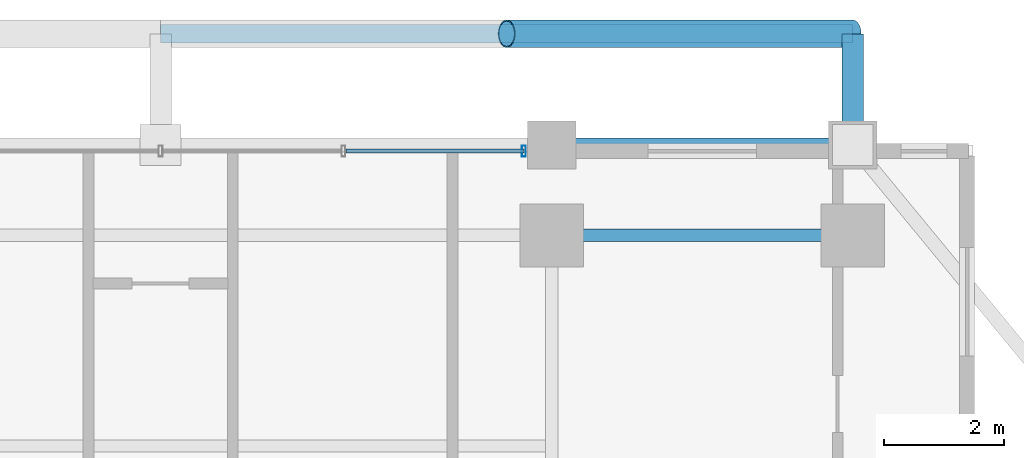
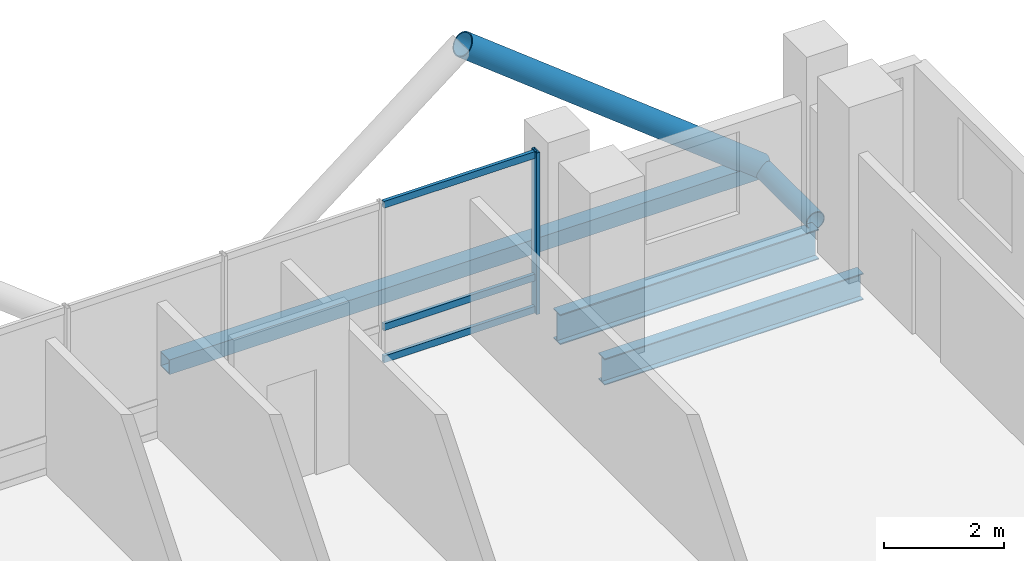
# One storey, part 18 of 25: 7 members, 2 beams, 1 element without a shape of its own.
"""IFC4 building model written with IfcOpenShell, lengths in metres."""

from ifc_helpers import new_model, si_unit, direction, frame, origin, origin_2d, place, context, subcontext, project, spatial, hollow_rectangle, hollow_circle, i_section, extrude, material, layer, layer_set, material_profile, profile_set, type_object, element, aggregate, save


model = new_model("IFC4")

# Units and contexts
model_context = context("Model", 3, precision=1e-05, world=origin(), true_north=direction((0.0, 1.0)))
body_context = subcontext(model_context, "Body", "Model", "MODEL_VIEW")
ifc_project = project(units=[si_unit("LENGTHUNIT", "METRE"), si_unit("AREAUNIT", "SQUARE_METRE"), si_unit("VOLUMEUNIT", "CUBIC_METRE"), si_unit("PLANEANGLEUNIT", "RADIAN"), si_unit("MASSUNIT", "GRAM", prefix="KILO")], contexts=[model_context])

# Site, building, storey
site_placement = place(None, origin())
site = spatial("IfcSite", under=ifc_project, at=site_placement, CompositionType="ELEMENT")
building_placement = place(site_placement, origin())
building = spatial("IfcBuilding", under=site, at=building_placement, Name="Barlavira Tower and Art Museum", CompositionType="ELEMENT")
storey_placement = place(building_placement, frame((0.0, 0.0, 208.800048828125)))
storey = spatial("IfcBuildingStorey", under=building, at=storey_placement, Name="L54", CompositionType="ELEMENT", Elevation=208.800048828125)

# Curtain wall, members
ifc_material_1 = material(Name="Low-iron coastal laminated glass", Category="glass")
ifc_layer = layer(ifc_material_1, 0.199951171875, Name="Low-iron coastal laminated glass")
ifc_layer_set = layer_set([ifc_layer], Name="Low-iron coastal laminated glass")
curtain_wall_type = type_object("IfcCurtainWallType", Name="Pale-Metal Unitised Curtain Wall Zone 3", PredefinedType="NOTDEFINED", material=ifc_layer_set)
curtain_wall_placement = place(storey_placement, origin())
curtain_wall = element("IfcCurtainWall", 1, at=curtain_wall_placement, inside=storey, type_object=curtain_wall_type, Name="L54 Curtain Wall CW3-L54-N-B3", PredefinedType="NOTDEFINED")
ifc_material_2 = material(Name="Pale anodised aluminium", Category="aluminium")
ifc_material_profile_1 = material_profile(ifc_material_2, hollow_rectangle(XDim=0.06494140625, YDim=0.179931640625, WallThickness=0.00390625, at=origin_2d()), Name="ALU-MULL 65x180x4")
ifc_profile_set_1 = profile_set([ifc_material_profile_1], Name="Pale anodised aluminium")
member_type_1 = type_object("IfcMemberType", Name="Curtain Wall Pale-Metal Mullion 65x180", PredefinedType="MULLION", material=ifc_profile_set_1)
member_1_placement = place(storey_placement, frame((6.034912109375, 21.39990234375, 0.0), z_axis=(0.0, 0.0, 1.0), x_axis=(-1.0, 0.0, 0.0)))
member_1 = element("IfcMember", 2, at=member_1_placement, type_object=member_type_1, Name="CW3-L54-N-B3 Mullion 0", PredefinedType="MULLION", context=body_context, shape_type="SweptSolid", body=[
    extrude(hollow_rectangle(XDim=0.06494140625, YDim=0.179931640625, WallThickness=0.00390625, at=origin_2d()), origin(), (0.0, 0.0, 1.0), 3.300048828125),
])
ifc_material_profile_2 = material_profile(ifc_material_2, hollow_rectangle(XDim=0.06494140625, YDim=0.139892578125, WallThickness=0.00390625, at=origin_2d()), Name="ALU-TRAN 65x140x4")
ifc_profile_set_2 = profile_set([ifc_material_profile_2], Name="Pale anodised aluminium")
member_type_2 = type_object("IfcMemberType", Name="Curtain Wall Pale-Metal Transom 65x140", PredefinedType="USERDEFINED", material=ifc_profile_set_2)
member_2_placement = place(storey_placement, frame((6.034912109375, 21.39990234375, 0.070068359375), z_axis=(-1.0, 0.0, 0.0), x_axis=(0.0, -1.0, 0.0)))
member_2 = element("IfcMember", 3, at=member_2_placement, type_object=member_type_2, Name="CW3-L54-N-B3 Transom 0.1", ObjectType="TRANSOM", PredefinedType="USERDEFINED", context=body_context, shape_type="SweptSolid", body=[
    extrude(hollow_rectangle(XDim=0.06494140625, YDim=0.139892578125, WallThickness=0.00390625, at=origin_2d()), origin(), (0.0, 0.0, 1.0), 2.949951171875),
])
member_3_placement = place(storey_placement, frame((6.034912109375, 21.39990234375, 0.725830078125), z_axis=(-1.0, 0.0, 0.0), x_axis=(0.0, -1.0, 0.0)))
member_3 = element("IfcMember", 4, at=member_3_placement, type_object=member_type_2, Name="CW3-L54-N-B3 Transom 0.2", ObjectType="TRANSOM", PredefinedType="USERDEFINED", context=body_context, shape_type="SweptSolid", body=[
    extrude(hollow_rectangle(XDim=0.06494140625, YDim=0.139892578125, WallThickness=0.00390625, at=origin_2d()), origin(), (0.0, 0.0, 1.0), 2.949951171875),
])
member_4_placement = place(storey_placement, frame((6.034912109375, 21.39990234375, 3.22998046875), z_axis=(-1.0, 0.0, 0.0), x_axis=(0.0, -1.0, 0.0)))
member_4 = element("IfcMember", 5, at=member_4_placement, type_object=member_type_2, Name="CW3-L54-N-B3 Transom 0.3", ObjectType="TRANSOM", PredefinedType="USERDEFINED", context=body_context, shape_type="SweptSolid", body=[
    extrude(hollow_rectangle(XDim=0.06494140625, YDim=0.139892578125, WallThickness=0.00390625, at=origin_2d()), origin(), (0.0, 0.0, 1.0), 2.949951171875),
])
aggregate(curtain_wall, [member_1, member_2, member_3, member_4])

# Members
ifc_material_3 = material(Name="Steel S355", Category="steel")
ifc_material_profile_3 = material_profile(ifc_material_3, hollow_circle(Radius=0.228515625, WallThickness=0.02001953125, at=origin_2d()), Name="CHS 457.0x20.0")
ifc_profile_set_3 = profile_set([ifc_material_profile_3], Name="Steel S355")
member_type_3 = type_object("IfcMemberType", Name="Pale-Metal Exoskeleton Diagrid Tube CHS 457x20 Steel S355", PredefinedType="BRACE", material=ifc_profile_set_3)
member_5_placement = place(storey_placement, frame((11.5, 23.35009765625, -0.1201171875), z_axis=(-0.787505001008, 0.0, 0.616308261658), x_axis=(0.0, -1.0, 0.0)))
element("IfcMember", 6, at=member_5_placement, inside=storey, type_object=member_type_3, Name="L54 Exoskeleton Diagrid Tube N", PredefinedType="BRACE", context=body_context, shape_type="SweptSolid", body=[
    extrude(hollow_circle(Radius=0.228515625, WallThickness=0.02001953125, at=origin_2d()), origin(), (0.0, 0.0, 1.0), 7.301513671875),
])
ifc_material_profile_4 = material_profile(ifc_material_3, hollow_circle(Radius=0.177734375, WallThickness=0.01611328125, at=origin_2d()), Name="CHS 355.6x16.0")
ifc_profile_set_4 = profile_set([ifc_material_profile_4], Name="Steel S355")
member_type_4 = type_object("IfcMemberType", Name="Pale-Metal Exoskeleton Tie Strut CHS 356x16 Steel S355", PredefinedType="STRUT", material=ifc_profile_set_4)
member_6_placement = place(storey_placement, frame((11.5, 23.35009765625, -0.1201171875), z_axis=(0.0, -1.0, 0.0), x_axis=(1.0, 0.0, 0.0)))
element("IfcMember", 7, at=member_6_placement, inside=storey, type_object=member_type_4, Name="L54 Exoskeleton Tie Strut N3", PredefinedType="STRUT", context=body_context, shape_type="SweptSolid", body=[
    extrude(hollow_circle(Radius=0.177734375, WallThickness=0.01611328125, at=origin_2d()), origin(), (0.0, 0.0, 1.0), 1.85009765625),
])
ifc_material_profile_5 = material_profile(ifc_material_3, hollow_rectangle(XDim=0.300048828125, YDim=0.300048828125, WallThickness=0.01611328125, at=origin_2d()), Name="SHS 300x300x16.0")
ifc_profile_set_5 = profile_set([ifc_material_profile_5], Name="Steel S355")
member_type_5 = type_object("IfcMemberType", Name="Pale-Metal Upper Ring Strut SHS 300x300x16 Steel S355", PredefinedType="STRUT", material=ifc_profile_set_5)
member_7_placement = place(storey_placement, frame((0.0, 23.35009765625, -0.1201171875), z_axis=(1.0, 0.0, 0.0), x_axis=(0.0, 1.0, 0.0)))
element("IfcMember", 8, at=member_7_placement, inside=storey, type_object=member_type_5, Name="L54 Exoskeleton Ring Strut N", PredefinedType="STRUT", context=body_context, shape_type="SweptSolid", body=[
    extrude(hollow_rectangle(XDim=0.300048828125, YDim=0.300048828125, WallThickness=0.01611328125, at=origin_2d()), origin(), (0.0, 0.0, 1.0), 11.5),
])

# Beams
ifc_material_profile_6 = material_profile(ifc_material_3, i_section(OverallWidth=0.22998046875, OverallDepth=0.616943359375, WebThickness=0.01318359375, FlangeThickness=0.022216796875, at=origin_2d()), Name="W610x140.0")
ifc_profile_set_6 = profile_set([ifc_material_profile_6], Name="Steel S355")
beam_type_1 = type_object("IfcBeamType", Name="Upper Shaft Spandrel Edge Beam W610x140 Steel S355", PredefinedType="SPANDREL", material=ifc_profile_set_6)
beam_1_placement = place(storey_placement, frame((6.5, 21.5, -0.528564453125), z_axis=(1.0, 0.0, 0.0), x_axis=(0.0, 1.0, 0.0)))
element("IfcBeam", 9, at=beam_1_placement, inside=storey, type_object=beam_type_1, Name="L54 Spandrel 9", PredefinedType="SPANDREL", context=body_context, shape_type="SweptSolid", body=[
    extrude(i_section(OverallWidth=0.22998046875, OverallDepth=0.616943359375, WebThickness=0.01318359375, FlangeThickness=0.022216796875, at=origin_2d()), origin(), (0.0, 0.0, 1.0), 5.0),
])
ifc_material_profile_7 = material_profile(ifc_material_3, i_section(OverallWidth=0.2109375, OverallDepth=0.5390625, WebThickness=0.01171875, FlangeThickness=0.018798828125, at=origin_2d()), Name="W530x109.0")
ifc_profile_set_7 = profile_set([ifc_material_profile_7], Name="Steel S355")
beam_type_2 = type_object("IfcBeamType", Name="Zone 3-4 Primary Floor Girder W530x109 Steel S355", PredefinedType="BEAM", material=ifc_profile_set_7)
beam_2_placement = place(storey_placement, frame((6.5, 20.0, -0.489501953125), z_axis=(1.0, 0.0, 0.0), x_axis=(0.0, 1.0, 0.0)))
element("IfcBeam", 10, at=beam_2_placement, inside=storey, type_object=beam_type_2, Name="L54 Girder M-N3", PredefinedType="BEAM", context=body_context, shape_type="SweptSolid", body=[
    extrude(i_section(OverallWidth=0.2109375, OverallDepth=0.5390625, WebThickness=0.01171875, FlangeThickness=0.018798828125, at=origin_2d()), origin(), (0.0, 0.0, 1.0), 5.0),
])

save(model, "model.ifc")
